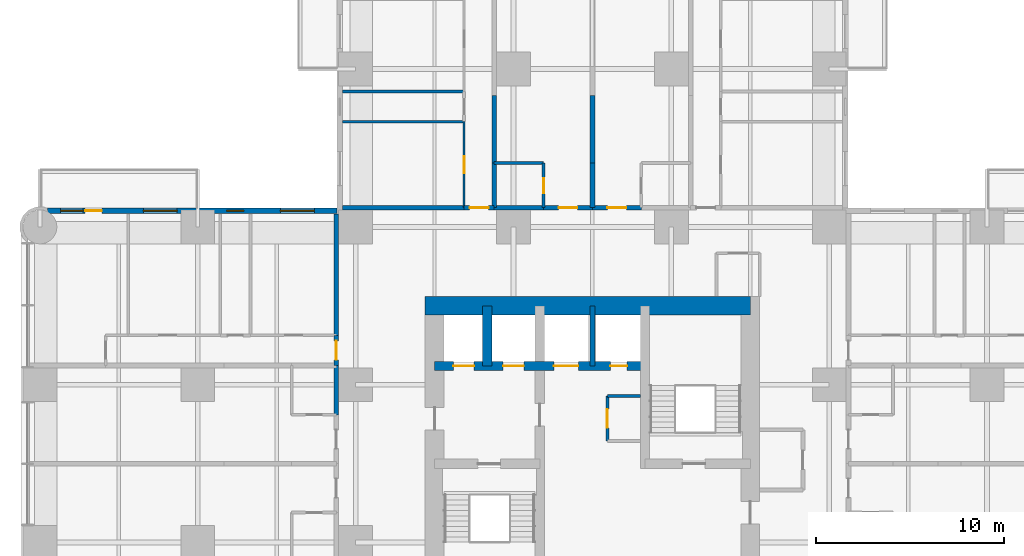
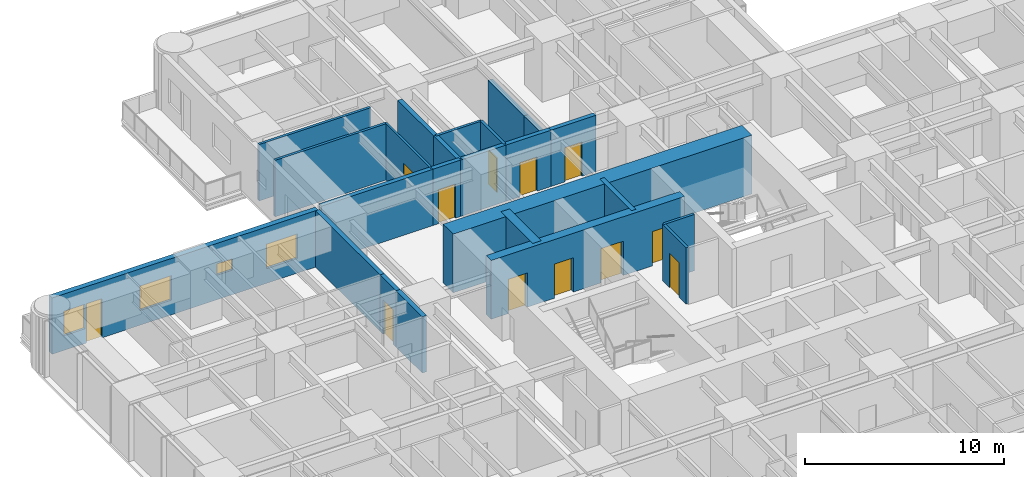
# One storey, part 12 of 17: 24 walls, 12 doors, 4 windows, 16 openings.
"""IFC4 building model written with IfcOpenShell, lengths in metres."""

from ifc_helpers import new_model, si_unit, direction, frame, frame_2d, origin, place, context, subcontext, project, spatial, rectangle, extrude, material, layer, layer_set, type_object, element, fill, save


model = new_model("IFC4")

# Units and contexts
model_context = context("Model", 3, precision=1e-05, world=origin(), true_north=direction((0.0, 1.0)))
body_context = subcontext(model_context, "Body", "Model", "MODEL_VIEW")
ifc_project = project(units=[si_unit("LENGTHUNIT", "METRE"), si_unit("AREAUNIT", "SQUARE_METRE"), si_unit("VOLUMEUNIT", "CUBIC_METRE"), si_unit("PLANEANGLEUNIT", "RADIAN"), si_unit("MASSUNIT", "GRAM", prefix="KILO")], contexts=[model_context])

# Site, building, storey
site_placement = place(None, origin())
site = spatial("IfcSite", under=ifc_project, at=site_placement, CompositionType="ELEMENT")
building_placement = place(site_placement, origin())
building = spatial("IfcBuilding", under=site, at=building_placement, Name="Torre Alcanfor", CompositionType="ELEMENT")
storey_placement = place(building_placement, frame((0.0, 0.0, 88.5)))
storey = spatial("IfcBuildingStorey", under=building, at=storey_placement, Name="L22", CompositionType="ELEMENT", Elevation=88.5)

# Wall, opening, door
ifc_material_1 = material(Name="Concrete block masonry, hollow blocks NMX-C-404 9 MPa", Category="masonry")
ifc_layer_1 = layer(ifc_material_1, 0.25)
ifc_layer_set_1 = layer_set([ifc_layer_1], Name="Apartment entrance wall 250 EI 60")
wall_type_1 = type_object("IfcWallType", Name="Apartment entrance wall 250 EI 60", PredefinedType="PARTITIONING", material=ifc_layer_set_1)
wall_1_placement = place(storey_placement, frame((26.800048828125, 43.02490234375, 0.0), z_axis=(0.0, 0.0, 1.0), x_axis=(1.0, 0.0, 0.0)))
wall_1 = element("IfcWall", 1, at=wall_1_placement, inside=storey, type_object=wall_type_1, Name="Partition L22-CORR / L22-N1A-FOYER", PredefinedType="PARTITIONING", context=body_context, shape_type="SweptSolid", body=[
    extrude(rectangle(XDim=2.599853515625, YDim=0.25, at=frame_2d((1.2998046875, 0.0))), origin(), (0.0, 0.0, 1.0), 3.449951171875),
])
opening_1_placement = place(wall_1_placement, frame((0.800048828125, 0.0, 0.0)))
opening_1 = element("IfcOpeningElement", 2, at=opening_1_placement, cuts=wall_1, Name="Opening D-A1", PredefinedType="OPENING", context=body_context, shape_type="SweptSolid", body=[
    extrude(rectangle(XDim=1.0, YDim=2.10009765625, at=frame_2d((0.5, 1.050048828125))), frame((0.0, 0.135009765625, 0.0), z_axis=(0.0, -1.0, 0.0), x_axis=(1.0, 0.0, 0.0)), (0.0, 0.0, 1.0), 0.27001953125),
])
ifc_material_2 = material(Name="Galvanised steel sheet ASTM A653", Category="steel")
door_type_1 = type_object("IfcDoorType", Name="Apartment entrance door FD60 1000x2100", OperationType="SINGLE_SWING_LEFT", PredefinedType="DOOR", material=ifc_material_2)
door_1_placement = place(opening_1_placement, origin())
door_1 = element("IfcDoor", 3, at=door_1_placement, inside=storey, type_object=door_type_1, Name="Apartment entrance L22-N1A", OperationType="SINGLE_SWING_LEFT", OverallHeight=2.10009765625, OverallWidth=1.0, PredefinedType="DOOR", context=body_context, shape_type="SweptSolid", body=[
    extrude(rectangle(XDim=1.0, YDim=2.10009765625, at=frame_2d((0.5, 1.050048828125))), frame((0.0, 0.02490234375, 0.0), z_axis=(0.0, -1.0, 0.0), x_axis=(1.0, 0.0, 0.0)), (0.0, 0.0, 1.0), 0.050048828125),
])
fill(opening_1, door_1)

# Wall
wall_2_placement = place(storey_placement, frame((24.1708984375, 43.02490234375, 0.0), z_axis=(0.0, 0.0, 1.0), x_axis=(1.0, 0.0, 0.0)))
element("IfcWall", 4, at=wall_2_placement, inside=storey, type_object=wall_type_1, Name="Partition L22-CORR / L22-N1A-BATH", PredefinedType="PARTITIONING", context=body_context, shape_type="SweptSolid", body=[
    extrude(rectangle(XDim=2.629150390625, YDim=0.25, at=frame_2d((1.314453125, 0.0))), origin(), (0.0, 0.0, 1.0), 3.449951171875),
])

# Wall, opening, door
wall_3_placement = place(storey_placement, frame((22.571044921875, 43.02490234375, 0.0), z_axis=(0.0, 0.0, 1.0), x_axis=(1.0, 0.0, 0.0)))
wall_3 = element("IfcWall", 5, at=wall_3_placement, inside=storey, type_object=wall_type_1, Name="Partition L22-CORR / L22-N1B-HALL", PredefinedType="PARTITIONING", context=body_context, shape_type="SweptSolid", body=[
    extrude(rectangle(XDim=1.599853515625, YDim=0.25, at=frame_2d((0.7998046875, 0.0))), origin(), (0.0, 0.0, 1.0), 3.449951171875),
])
opening_2_placement = place(wall_3_placement, frame((0.300048828125, 0.0, 0.0)))
opening_2 = element("IfcOpeningElement", 6, at=opening_2_placement, cuts=wall_3, Name="Opening D-A1", PredefinedType="OPENING", context=body_context, shape_type="SweptSolid", body=[
    extrude(rectangle(XDim=1.0, YDim=2.10009765625, at=frame_2d((0.5, 1.050048828125))), frame((0.0, 0.135009765625, 0.0), z_axis=(0.0, -1.0, 0.0), x_axis=(1.0, 0.0, 0.0)), (0.0, 0.0, 1.0), 0.27001953125),
])
door_2_placement = place(opening_2_placement, origin())
door_2 = element("IfcDoor", 7, at=door_2_placement, inside=storey, type_object=door_type_1, Name="Apartment entrance L22-N1B", OperationType="SINGLE_SWING_LEFT", OverallHeight=2.10009765625, OverallWidth=1.0, PredefinedType="DOOR", context=body_context, shape_type="SweptSolid", body=[
    extrude(rectangle(XDim=1.0, YDim=2.10009765625, at=frame_2d((0.5, 1.050048828125))), frame((0.0, 0.02490234375, 0.0), z_axis=(0.0, -1.0, 0.0), x_axis=(1.0, 0.0, 0.0)), (0.0, 0.0, 1.0), 0.050048828125),
])
fill(opening_2, door_2)

# Wall
wall_4_placement = place(storey_placement, frame((16.10009765625, 43.02490234375, 0.0), z_axis=(0.0, 0.0, 1.0), x_axis=(1.0, 0.0, 0.0)))
element("IfcWall", 8, at=wall_4_placement, inside=storey, type_object=wall_type_1, Name="Partition L22-CORR / L22-N1B-BED2", PredefinedType="PARTITIONING", context=body_context, shape_type="SweptSolid", body=[
    extrude(rectangle(XDim=6.470947265625, YDim=0.25, at=frame_2d((3.2353515625, 0.0))), origin(), (0.0, 0.0, 1.0), 3.449951171875),
])

# Wall, opening, door
wall_5_placement = place(storey_placement, frame((29.39990234375, 43.02490234375, 0.0), z_axis=(0.0, 0.0, 1.0), x_axis=(1.0, 0.0, 0.0)))
wall_5 = element("IfcWall", 9, at=wall_5_placement, inside=storey, type_object=wall_type_1, Name="Partition L22-CORR / L22-N2A-FOYER", PredefinedType="PARTITIONING", context=body_context, shape_type="SweptSolid", body=[
    extrude(rectangle(XDim=2.60009765625, YDim=0.25, at=frame_2d((1.300048828125, 0.0))), origin(), (0.0, 0.0, 1.0), 3.449951171875),
])
opening_3_placement = place(wall_5_placement, frame((0.800048828125, 0.0, 0.0)))
opening_3 = element("IfcOpeningElement", 10, at=opening_3_placement, cuts=wall_5, Name="Opening D-A1", PredefinedType="OPENING", context=body_context, shape_type="SweptSolid", body=[
    extrude(rectangle(XDim=1.0, YDim=2.10009765625, at=frame_2d((0.5, 1.050048828125))), frame((0.0, 0.135009765625, 0.0), z_axis=(0.0, -1.0, 0.0), x_axis=(1.0, 0.0, 0.0)), (0.0, 0.0, 1.0), 0.27001953125),
])
door_3_placement = place(opening_3_placement, origin())
door_3 = element("IfcDoor", 11, at=door_3_placement, inside=storey, type_object=door_type_1, Name="Apartment entrance L22-N2A", OperationType="SINGLE_SWING_LEFT", OverallHeight=2.10009765625, OverallWidth=1.0, PredefinedType="DOOR", context=body_context, shape_type="SweptSolid", body=[
    extrude(rectangle(XDim=1.0, YDim=2.10009765625, at=frame_2d((0.5, 1.050048828125))), frame((0.0, 0.02490234375, 0.0), z_axis=(0.0, -1.0, 0.0), x_axis=(1.0, 0.0, 0.0)), (0.0, 0.0, 1.0), 0.050048828125),
])
fill(opening_3, door_3)

# Wall
wall_6_placement = place(storey_placement, frame((15.77490234375, 32.0, 0.0), z_axis=(0.0, 0.0, 1.0), x_axis=(0.0, 1.0, 0.0)))
element("IfcWall", 12, at=wall_6_placement, inside=storey, type_object=wall_type_1, Name="Partition L22-CORR / L22-W2A-BATH", PredefinedType="PARTITIONING", context=body_context, shape_type="SweptSolid", body=[
    extrude(rectangle(XDim=2.62890625, YDim=0.25, at=frame_2d((1.314453125, 0.0))), origin(), (0.0, 0.0, 1.0), 3.449951171875),
])

# Wall, opening, door
wall_7_placement = place(storey_placement, frame((15.77490234375, 34.62890625, 0.0), z_axis=(0.0, 0.0, 1.0), x_axis=(0.0, 1.0, 0.0)))
wall_7 = element("IfcWall", 13, at=wall_7_placement, inside=storey, type_object=wall_type_1, Name="Partition L22-CORR / L22-W2B-HALL", PredefinedType="PARTITIONING", context=body_context, shape_type="SweptSolid", body=[
    extrude(rectangle(XDim=1.60009765625, YDim=0.25, at=frame_2d((0.800048828125, 0.0))), origin(), (0.0, 0.0, 1.0), 3.449951171875),
])
opening_4_placement = place(wall_7_placement, frame((0.300048828125, 0.0, 0.0)))
opening_4 = element("IfcOpeningElement", 14, at=opening_4_placement, cuts=wall_7, Name="Opening D-A1", PredefinedType="OPENING", context=body_context, shape_type="SweptSolid", body=[
    extrude(rectangle(XDim=1.0, YDim=2.10009765625, at=frame_2d((0.5, 1.050048828125))), frame((0.0, 0.135009765625, 0.0), z_axis=(0.0, -1.0, 0.0), x_axis=(1.0, 0.0, 0.0)), (0.0, 0.0, 1.0), 0.27001953125),
])
door_4_placement = place(opening_4_placement, origin())
door_4 = element("IfcDoor", 15, at=door_4_placement, inside=storey, type_object=door_type_1, Name="Apartment entrance L22-W2B", OperationType="SINGLE_SWING_LEFT", OverallHeight=2.10009765625, OverallWidth=1.0, PredefinedType="DOOR", context=body_context, shape_type="SweptSolid", body=[
    extrude(rectangle(XDim=1.0, YDim=2.10009765625, at=frame_2d((0.5, 1.050048828125))), frame((0.0, 0.02490234375, 0.0), z_axis=(0.0, -1.0, 0.0), x_axis=(1.0, 0.0, 0.0)), (0.0, 0.0, 1.0), 0.050048828125),
])
fill(opening_4, door_4)

# Wall
wall_8_placement = place(storey_placement, frame((15.77490234375, 36.22900390625, 0.0), z_axis=(0.0, 0.0, 1.0), x_axis=(0.0, 1.0, 0.0)))
element("IfcWall", 16, at=wall_8_placement, inside=storey, type_object=wall_type_1, Name="Partition L22-CORR / L22-W2B-BED2", PredefinedType="PARTITIONING", context=body_context, shape_type="SweptSolid", body=[
    extrude(rectangle(XDim=6.470947265625, YDim=0.25, at=frame_2d((3.2353515625, 0.0))), origin(), (0.0, 0.0, 1.0), 3.449951171875),
])

# Wall, opening, door
ifc_material_3 = material(Name="Gypsum board on steel studs", Category="steel")
ifc_layer_2 = layer(ifc_material_3, 0.1201171875)
ifc_layer_set_2 = layer_set([ifc_layer_2], Name="Apartment partition 120")
wall_type_2 = type_object("IfcWallType", Name="Apartment partition 120", PredefinedType="PARTITIONING", material=ifc_layer_set_2)
wall_9_placement = place(storey_placement, frame((22.571044921875, 47.60009765625, 0.0), z_axis=(0.0, 0.0, 1.0), x_axis=(0.0, -1.0, 0.0)))
wall_9 = element("IfcWall", 17, at=wall_9_placement, inside=storey, type_object=wall_type_2, Name="Partition L22-N1B-HALL / L22-N1B-BED2", PredefinedType="PARTITIONING", context=body_context, shape_type="SweptSolid", body=[
    extrude(rectangle(XDim=4.5751953125, YDim=0.1201171875, at=frame_2d((2.28759765625, 0.0))), origin(), (0.0, 0.0, 1.0), 3.449951171875),
])
opening_5_placement = place(wall_9_placement, frame((1.85009765625, 0.0, 0.0)))
opening_5 = element("IfcOpeningElement", 18, at=opening_5_placement, cuts=wall_9, Name="Opening D-R1", PredefinedType="OPENING", context=body_context, shape_type="SweptSolid", body=[
    extrude(rectangle(XDim=0.89990234375, YDim=2.10009765625, at=frame_2d((0.449951171875, 1.050048828125))), frame((0.0, 0.070068359375, 0.0), z_axis=(0.0, -1.0, 0.0), x_axis=(1.0, 0.0, 0.0)), (0.0, 0.0, 1.0), 0.14013671875),
])
ifc_material_4 = material(Name="Timber", Category="wood")
door_type_2 = type_object("IfcDoorType", Name="Internal door 900x2100", OperationType="SINGLE_SWING_LEFT", PredefinedType="DOOR", material=ifc_material_4)
door_5_placement = place(opening_5_placement, frame((0.89990234375, 0.0, 0.0), z_axis=(0.0, 0.0, 1.0), x_axis=(-1.0, 0.0, 0.0)))
door_5 = element("IfcDoor", 19, at=door_5_placement, inside=storey, type_object=door_type_2, Name="Door L22-N1B bed2", OperationType="SINGLE_SWING_LEFT", OverallHeight=2.10009765625, OverallWidth=0.89990234375, PredefinedType="DOOR", context=body_context, shape_type="SweptSolid", body=[
    extrude(rectangle(XDim=0.89990234375, YDim=2.10009765625, at=frame_2d((0.449951171875, 1.050048828125))), frame((0.0, 0.025146484375, 0.0), z_axis=(0.0, -1.0, 0.0), x_axis=(1.0, 0.0, 0.0)), (0.0, 0.0, 1.0), 0.050048828125),
])
fill(opening_5, door_5)

# Wall, openings, doors
ifc_material_5 = material(Name="Concrete f'c 70 MPa", Category="concrete")
ifc_layer_3 = layer(ifc_material_5, 0.5)
ifc_layer_set_3 = layer_set([ifc_layer_3], Name="Core inner wall 500 f'c70")
wall_type_3 = type_object("IfcWallType", Name="Core inner wall 500 f'c70", PredefinedType="SHEAR", material=ifc_layer_set_3)
wall_10_placement = place(storey_placement, frame((21.0, 34.60009765625, 0.0), z_axis=(0.0, 0.0, 1.0), x_axis=(1.0, 0.0, 0.0)))
wall_10 = element("IfcWall", 20, at=wall_10_placement, inside=storey, type_object=wall_type_3, Name="Core wall Y346 L22", PredefinedType="SHEAR", context=body_context, shape_type="SweptSolid", body=[
    extrude(rectangle(XDim=11.199951171875, YDim=0.5, at=frame_2d((5.60009765625, 0.0))), origin(), (0.0, 0.0, 1.0), 3.60009765625),
])
opening_6_placement = place(wall_10_placement, frame((9.35009765625, 0.0, 0.0)))
opening_6 = element("IfcOpeningElement", 21, at=opening_6_placement, cuts=wall_10, Name="Opening D-Q1", PredefinedType="OPENING", context=body_context, shape_type="SweptSolid", body=[
    extrude(rectangle(XDim=0.89990234375, YDim=2.10009765625, at=frame_2d((0.449951171875, 1.050048828125))), frame((0.0, 0.260009765625, 0.0), z_axis=(0.0, -1.0, 0.0), x_axis=(1.0, 0.0, 0.0)), (0.0, 0.0, 1.0), 0.52001953125),
])
opening_7_placement = place(wall_10_placement, frame((1.0, 0.0, 0.0)))
opening_7 = element("IfcOpeningElement", 22, at=opening_7_placement, cuts=wall_10, Name="Opening LD2", PredefinedType="OPENING", context=body_context, shape_type="SweptSolid", body=[
    extrude(rectangle(XDim=1.10009765625, YDim=2.10009765625, at=frame_2d((0.550048828125, 1.050048828125))), frame((0.0, 0.260009765625, 0.0), z_axis=(0.0, -1.0, 0.0), x_axis=(1.0, 0.0, 0.0)), (0.0, 0.0, 1.0), 0.52001953125),
])
opening_8_placement = place(wall_10_placement, frame((3.64990234375, 0.0, 0.0)))
opening_8 = element("IfcOpeningElement", 23, at=opening_8_placement, cuts=wall_10, Name="Opening LD2", PredefinedType="OPENING", context=body_context, shape_type="SweptSolid", body=[
    extrude(rectangle(XDim=1.10009765625, YDim=2.10009765625, at=frame_2d((0.550048828125, 1.050048828125))), frame((0.0, 0.260009765625, 0.0), z_axis=(0.0, -1.0, 0.0), x_axis=(1.0, 0.0, 0.0)), (0.0, 0.0, 1.0), 0.52001953125),
])
opening_9_placement = place(wall_10_placement, frame((6.35009765625, 0.0, 0.0)))
opening_9 = element("IfcOpeningElement", 24, at=opening_9_placement, cuts=wall_10, Name="Opening LD3", PredefinedType="OPENING", context=body_context, shape_type="SweptSolid", body=[
    extrude(rectangle(XDim=1.300048828125, YDim=2.10009765625, at=frame_2d((0.64990234375, 1.050048828125))), frame((0.0, 0.260009765625, 0.0), z_axis=(0.0, -1.0, 0.0), x_axis=(1.0, 0.0, 0.0)), (0.0, 0.0, 1.0), 0.52001953125),
])
ifc_material_6 = material(Name="Galvanised steel sheet ASTM A653", Category="steel")
door_type_3 = type_object("IfcDoorType", Name="Firefighting lift landing door 1100x2100", OperationType="DOUBLE_DOOR_SLIDING", PredefinedType="DOOR", material=ifc_material_6)
door_6_placement = place(opening_7_placement, origin())
door_6 = element("IfcDoor", 25, at=door_6_placement, inside=storey, type_object=door_type_3, Name="Lift landing door FL1 L22", OperationType="DOUBLE_DOOR_SLIDING", OverallHeight=2.10009765625, OverallWidth=1.10009765625, PredefinedType="DOOR", context=body_context, shape_type="SweptSolid", body=[
    extrude(rectangle(XDim=1.10009765625, YDim=2.10009765625, at=frame_2d((0.550048828125, 1.050048828125))), frame((0.0, 0.02490234375, 0.0), z_axis=(0.0, -1.0, 0.0), x_axis=(1.0, 0.0, 0.0)), (0.0, 0.0, 1.0), 0.050048828125),
])
fill(opening_7, door_6)
door_7_placement = place(opening_8_placement, origin())
door_7 = element("IfcDoor", 26, at=door_7_placement, inside=storey, type_object=door_type_3, Name="Lift landing door FL2 L22", OperationType="DOUBLE_DOOR_SLIDING", OverallHeight=2.10009765625, OverallWidth=1.10009765625, PredefinedType="DOOR", context=body_context, shape_type="SweptSolid", body=[
    extrude(rectangle(XDim=1.10009765625, YDim=2.10009765625, at=frame_2d((0.550048828125, 1.050048828125))), frame((0.0, 0.02490234375, 0.0), z_axis=(0.0, -1.0, 0.0), x_axis=(1.0, 0.0, 0.0)), (0.0, 0.0, 1.0), 0.050048828125),
])
fill(opening_8, door_7)
ifc_material_7 = material(Name="Galvanised steel sheet ASTM A653", Category="steel")
door_type_4 = type_object("IfcDoorType", Name="Riser access door FD120 900x2100", OperationType="SINGLE_SWING_LEFT", PredefinedType="DOOR", material=ifc_material_7)
door_8_placement = place(opening_6_placement, origin())
door_8 = element("IfcDoor", 27, at=door_8_placement, inside=storey, type_object=door_type_4, Name="Riser door L22", OperationType="SINGLE_SWING_LEFT", OverallHeight=2.10009765625, OverallWidth=0.89990234375, PredefinedType="DOOR", context=body_context, shape_type="SweptSolid", body=[
    extrude(rectangle(XDim=0.89990234375, YDim=2.10009765625, at=frame_2d((0.449951171875, 1.050048828125))), frame((0.0, 0.02490234375, 0.0), z_axis=(0.0, -1.0, 0.0), x_axis=(1.0, 0.0, 0.0)), (0.0, 0.0, 1.0), 0.050048828125),
])
fill(opening_6, door_8)
ifc_material_8 = material(Name="Galvanised steel sheet ASTM A653", Category="steel")
door_type_5 = type_object("IfcDoorType", Name="Service lift landing door 1300x2100", OperationType="DOUBLE_DOOR_SLIDING", PredefinedType="DOOR", material=ifc_material_8)
door_9_placement = place(opening_9_placement, origin())
door_9 = element("IfcDoor", 28, at=door_9_placement, inside=storey, type_object=door_type_5, Name="Lift landing door SL1 L22", OperationType="DOUBLE_DOOR_SLIDING", OverallHeight=2.10009765625, OverallWidth=1.300048828125, PredefinedType="DOOR", context=body_context, shape_type="SweptSolid", body=[
    extrude(rectangle(XDim=1.300048828125, YDim=2.10009765625, at=frame_2d((0.64990234375, 1.050048828125))), frame((0.0, 0.02490234375, 0.0), z_axis=(0.0, -1.0, 0.0), x_axis=(1.0, 0.0, 0.0)), (0.0, 0.0, 1.0), 0.050048828125),
])
fill(opening_9, door_9)

# Walls
wall_11_placement = place(storey_placement, frame((23.800048828125, 34.60009765625, 0.0), z_axis=(0.0, 0.0, 1.0), x_axis=(0.0, 1.0, 0.0)))
element("IfcWall", 29, at=wall_11_placement, inside=storey, type_object=wall_type_3, Name="Core wall X238 L22", PredefinedType="SHEAR", context=body_context, shape_type="SweptSolid", body=[
    extrude(rectangle(XDim=3.199951171875, YDim=0.5, at=frame_2d((1.60009765625, 0.0))), origin(), (0.0, 0.0, 1.0), 3.60009765625),
])
ifc_material_9 = material(Name="Concrete f'c 70 MPa", Category="concrete")
ifc_layer_4 = layer(ifc_material_9, 0.25)
ifc_layer_set_4 = layer_set([ifc_layer_4], Name="Core shaft wall 250 f'c70")
wall_type_4 = type_object("IfcWallType", Name="Core shaft wall 250 f'c70", PredefinedType="SHEAR", material=ifc_layer_set_4)
wall_12_placement = place(storey_placement, frame((29.39990234375, 34.60009765625, 0.0), z_axis=(0.0, 0.0, 1.0), x_axis=(0.0, 1.0, 0.0)))
element("IfcWall", 30, at=wall_12_placement, inside=storey, type_object=wall_type_4, Name="Core wall X294N L22", PredefinedType="SHEAR", context=body_context, shape_type="SweptSolid", body=[
    extrude(rectangle(XDim=3.199951171875, YDim=0.25, at=frame_2d((1.60009765625, 0.0))), origin(), (0.0, 0.0, 1.0), 3.60009765625),
])
ifc_material_10 = material(Name="Concrete f'c 70 MPa", Category="concrete")
ifc_layer_5 = layer(ifc_material_10, 1.0)
ifc_layer_set_5 = layer_set([ifc_layer_5], Name="Core wall 1000 f'c70")
wall_type_5 = type_object("IfcWallType", Name="Core wall 1000 f'c70", PredefinedType="SHEAR", material=ifc_layer_set_5)
wall_13_placement = place(storey_placement, frame((37.800048828125, 37.800048828125, 0.0), z_axis=(0.0, 0.0, 1.0), x_axis=(-1.0, 0.0, 0.0)))
element("IfcWall", 31, at=wall_13_placement, inside=storey, type_object=wall_type_5, Name="Core wall OUT-N L22", PredefinedType="SHEAR", context=body_context, shape_type="SweptSolid", body=[
    extrude(rectangle(XDim=17.300048828125, YDim=1.0, at=frame_2d((8.64990234375, 0.0))), origin(), (0.0, 0.0, 1.0), 3.60009765625),
])

# Wall, openings, door, windows
ifc_material_11 = material(Name="Limestone cladding", Category="masonry")
ifc_layer_6 = layer(ifc_material_11, 0.0400390625, Name="Facing")
ifc_material_12 = material(Name="Ventilated air cavity")
ifc_layer_7 = layer(ifc_material_12, 0.02001953125, ventilated=True, Name="Ventilated joint")
ifc_material_13 = material(Name="Mineral wool insulation", Category="insulation")
ifc_layer_8 = layer(ifc_material_13, 0.10009765625, Name="Insulation")
ifc_material_14 = material(Name="Concrete f'c 35 MPa", Category="concrete")
ifc_layer_9 = layer(ifc_material_14, 0.139892578125, Name="Backing")
ifc_layer_set_6 = layer_set([ifc_layer_6, ifc_layer_7, ifc_layer_8, ifc_layer_9], Name="External wall stone-clad 300")
wall_type_6 = type_object("IfcWallType", Name="External wall stone-clad 300", PredefinedType="SOLIDWALL", material=ifc_layer_set_6)
wall_14_placement = place(storey_placement, frame((15.800048828125, 42.85009765625, 0.0), z_axis=(0.0, 0.0, 1.0), x_axis=(-1.0, 0.0, 0.0)))
wall_14 = element("IfcWall", 32, at=wall_14_placement, inside=storey, type_object=wall_type_6, Name="External wall L22 1", PredefinedType="SOLIDWALL", context=body_context, shape_type="SweptSolid", body=[
    extrude(rectangle(XDim=15.400146484375, YDim=0.300048828125, at=frame_2d((7.7001953125, 0.0))), origin(), (0.0, 0.0, 1.0), 3.449951171875),
])
opening_10_placement = place(wall_14_placement, frame((1.199951171875, 0.0, 0.89990234375)))
opening_10 = element("IfcOpeningElement", 33, at=opening_10_placement, cuts=wall_14, Name="Opening W2", PredefinedType="OPENING", context=body_context, shape_type="SweptSolid", body=[
    extrude(rectangle(XDim=1.800048828125, YDim=1.5, at=frame_2d((0.89990234375, 0.75))), frame((0.0, 0.159912109375, 0.0), z_axis=(0.0, -1.0, 0.0), x_axis=(1.0, 0.0, 0.0)), (0.0, 0.0, 1.0), 0.320068359375),
])
opening_11_placement = place(wall_14_placement, frame((4.949951171875, 0.0, 1.5)))
opening_11 = element("IfcOpeningElement", 34, at=opening_11_placement, cuts=wall_14, Name="Opening W3", PredefinedType="OPENING", context=body_context, shape_type="SweptSolid", body=[
    extrude(rectangle(XDim=0.89990234375, YDim=0.699951171875, at=frame_2d((0.449951171875, 0.35009765625))), frame((0.0, 0.159912109375, 0.0), z_axis=(0.0, -1.0, 0.0), x_axis=(1.0, 0.0, 0.0)), (0.0, 0.0, 1.0), 0.320068359375),
])
opening_12_placement = place(wall_14_placement, frame((8.5, 0.0, 0.89990234375)))
opening_12 = element("IfcOpeningElement", 35, at=opening_12_placement, cuts=wall_14, Name="Opening W2", PredefinedType="OPENING", context=body_context, shape_type="SweptSolid", body=[
    extrude(rectangle(XDim=1.800048828125, YDim=1.5, at=frame_2d((0.89990234375, 0.75))), frame((0.0, 0.159912109375, 0.0), z_axis=(0.0, -1.0, 0.0), x_axis=(1.0, 0.0, 0.0)), (0.0, 0.0, 1.0), 0.320068359375),
])
opening_13_placement = place(wall_14_placement, frame((12.5, 0.0, 0.0)))
opening_13 = element("IfcOpeningElement", 36, at=opening_13_placement, cuts=wall_14, Name="Opening D-B1", PredefinedType="OPENING", context=body_context, shape_type="SweptSolid", body=[
    extrude(rectangle(XDim=0.89990234375, YDim=2.39990234375, at=frame_2d((0.449951171875, 1.199951171875))), frame((0.0, 0.159912109375, 0.0), z_axis=(0.0, -1.0, 0.0), x_axis=(1.0, 0.0, 0.0)), (0.0, 0.0, 1.0), 0.320068359375),
])
opening_14_placement = place(wall_14_placement, frame((13.5, 0.0, 0.89990234375)))
opening_14 = element("IfcOpeningElement", 37, at=opening_14_placement, cuts=wall_14, Name="Opening W4", PredefinedType="OPENING", context=body_context, shape_type="SweptSolid", body=[
    extrude(rectangle(XDim=1.199951171875, YDim=1.5, at=frame_2d((0.60009765625, 0.75))), frame((0.0, 0.159912109375, 0.0), z_axis=(0.0, -1.0, 0.0), x_axis=(1.0, 0.0, 0.0)), (0.0, 0.0, 1.0), 0.320068359375),
])
ifc_material_15 = material(Name="Aluminium and glass", Category="aluminium")
door_type_6 = type_object("IfcDoorType", Name="Balcony door glazed 900x2400", OperationType="SINGLE_SWING_LEFT", PredefinedType="DOOR", material=ifc_material_15)
door_10_placement = place(opening_13_placement, origin())
door_10 = element("IfcDoor", 38, at=door_10_placement, inside=storey, type_object=door_type_6, Name="Balcony door L22-W2", OperationType="SINGLE_SWING_LEFT", OverallHeight=2.39990234375, OverallWidth=0.89990234375, PredefinedType="DOOR", context=body_context, shape_type="SweptSolid", body=[
    extrude(rectangle(XDim=0.89990234375, YDim=2.39990234375, at=frame_2d((0.449951171875, 1.199951171875))), frame((0.0, 0.02490234375, 0.0), z_axis=(0.0, -1.0, 0.0), x_axis=(1.0, 0.0, 0.0)), (0.0, 0.0, 1.0), 0.050048828125),
])
fill(opening_13, door_10)
ifc_material_16 = material(Name="Aluminium frame with clear double glazing", Category="aluminium")
window_type_1 = type_object("IfcWindowType", Name="Window bathroom 900x700", PartitioningType="SINGLE_PANEL", PredefinedType="WINDOW", material=ifc_material_16)
window_1_placement = place(opening_11_placement, origin())
window_1 = element("IfcWindow", 39, at=window_1_placement, inside=storey, type_object=window_type_1, Name="Window W3 L22-W2", OverallHeight=0.699951171875, OverallWidth=0.89990234375, PartitioningType="SINGLE_PANEL", PredefinedType="WINDOW", context=body_context, shape_type="SweptSolid", body=[
    extrude(rectangle(XDim=0.89990234375, YDim=0.699951171875, at=frame_2d((0.449951171875, 0.35009765625))), frame((0.0, 0.030029296875, 0.0), z_axis=(0.0, -1.0, 0.0), x_axis=(1.0, 0.0, 0.0)), (0.0, 0.0, 1.0), 0.06005859375),
])
fill(opening_11, window_1)
ifc_material_17 = material(Name="Aluminium frame with clear double glazing", Category="aluminium")
window_type_2 = type_object("IfcWindowType", Name="Window bedroom 1200x1500", PartitioningType="SINGLE_PANEL", PredefinedType="WINDOW", material=ifc_material_17)
window_2_placement = place(opening_14_placement, origin())
window_2 = element("IfcWindow", 40, at=window_2_placement, inside=storey, type_object=window_type_2, Name="Window W4 L22-W2", OverallHeight=1.5, OverallWidth=1.199951171875, PartitioningType="SINGLE_PANEL", PredefinedType="WINDOW", context=body_context, shape_type="SweptSolid", body=[
    extrude(rectangle(XDim=1.199951171875, YDim=1.5, at=frame_2d((0.60009765625, 0.75))), frame((0.0, 0.030029296875, 0.0), z_axis=(0.0, -1.0, 0.0), x_axis=(1.0, 0.0, 0.0)), (0.0, 0.0, 1.0), 0.06005859375),
])
fill(opening_14, window_2)
ifc_material_18 = material(Name="Aluminium frame with clear double glazing", Category="aluminium")
window_type_3 = type_object("IfcWindowType", Name="Window bedroom 1800x1500", PartitioningType="SINGLE_PANEL", PredefinedType="WINDOW", material=ifc_material_18)
window_3_placement = place(opening_10_placement, origin())
window_3 = element("IfcWindow", 41, at=window_3_placement, inside=storey, type_object=window_type_3, Name="Window W2 L22-W2", OverallHeight=1.5, OverallWidth=1.800048828125, PartitioningType="SINGLE_PANEL", PredefinedType="WINDOW", context=body_context, shape_type="SweptSolid", body=[
    extrude(rectangle(XDim=1.800048828125, YDim=1.5, at=frame_2d((0.89990234375, 0.75))), frame((0.0, 0.030029296875, 0.0), z_axis=(0.0, -1.0, 0.0), x_axis=(1.0, 0.0, 0.0)), (0.0, 0.0, 1.0), 0.06005859375),
])
fill(opening_10, window_3)
window_4_placement = place(opening_12_placement, origin())
window_4 = element("IfcWindow", 42, at=window_4_placement, inside=storey, type_object=window_type_3, Name="Window W2 L22-W2", OverallHeight=1.5, OverallWidth=1.800048828125, PartitioningType="SINGLE_PANEL", PredefinedType="WINDOW", context=body_context, shape_type="SweptSolid", body=[
    extrude(rectangle(XDim=1.800048828125, YDim=1.5, at=frame_2d((0.89990234375, 0.75))), frame((0.0, 0.030029296875, 0.0), z_axis=(0.0, -1.0, 0.0), x_axis=(1.0, 0.0, 0.0)), (0.0, 0.0, 1.0), 0.06005859375),
])
fill(opening_12, window_4)

# Walls
ifc_material_19 = material(Name="Concrete block masonry, hollow blocks NMX-C-404 9 MPa", Category="masonry")
ifc_layer_10 = layer(ifc_material_19, 0.25)
ifc_layer_set_7 = layer_set([ifc_layer_10], Name="Party wall 250 EI 60")
wall_type_7 = type_object("IfcWallType", Name="Party wall 250 EI 60", PredefinedType="PARTITIONING", material=ifc_layer_set_7)
wall_15_placement = place(storey_placement, frame((29.39990234375, 43.02490234375, 0.0), z_axis=(0.0, 0.0, 1.0), x_axis=(0.0, 1.0, 0.0)))
element("IfcWall", 43, at=wall_15_placement, inside=storey, type_object=wall_type_7, Name="Partition L22-N1A-FOYER / L22-N2A-FOYER", PredefinedType="PARTITIONING", context=body_context, shape_type="SweptSolid", body=[
    extrude(rectangle(XDim=2.375, YDim=0.25, at=frame_2d((1.1875, 0.0))), origin(), (0.0, 0.0, 1.0), 2.847900390625),
])
wall_16_placement = place(storey_placement, frame((24.1708984375, 45.39990234375, 0.0), z_axis=(0.0, 0.0, 1.0), x_axis=(0.0, -1.0, 0.0)))
element("IfcWall", 44, at=wall_16_placement, inside=storey, type_object=wall_type_7, Name="Partition L22-N1A-BATH / L22-N1B-HALL", PredefinedType="PARTITIONING", context=body_context, shape_type="SweptSolid", body=[
    extrude(rectangle(XDim=2.375, YDim=0.25, at=frame_2d((1.1875, 0.0))), origin(), (0.0, 0.0, 1.0), 3.449951171875),
])
wall_17_placement = place(storey_placement, frame((24.1708984375, 49.0, 0.0), z_axis=(0.0, 0.0, 1.0), x_axis=(0.0, -1.0, 0.0)))
element("IfcWall", 45, at=wall_17_placement, inside=storey, type_object=wall_type_7, Name="Partition L22-N1A-KITCHEN / L22-N1B-HALL", PredefinedType="PARTITIONING", context=body_context, shape_type="SweptSolid", body=[
    extrude(rectangle(XDim=3.60009765625, YDim=0.25, at=frame_2d((1.800048828125, 0.0))), origin(), (0.0, 0.0, 1.0), 3.449951171875),
])
wall_18_placement = place(storey_placement, frame((29.39990234375, 45.39990234375, 0.0), z_axis=(0.0, 0.0, 1.0), x_axis=(0.0, 1.0, 0.0)))
element("IfcWall", 46, at=wall_18_placement, inside=storey, type_object=wall_type_7, Name="Partition L22-N1A-KITCHEN / L22-N2A-KITCHEN", PredefinedType="PARTITIONING", context=body_context, shape_type="SweptSolid", body=[
    extrude(rectangle(XDim=3.60009765625, YDim=0.25, at=frame_2d((1.800048828125, 0.0))), origin(), (0.0, 0.0, 1.0), 2.847900390625),
])

# Wall, opening, door
ifc_material_20 = material(Name="Concrete block masonry, hollow blocks NMX-C-404 9 MPa", Category="masonry")
ifc_layer_11 = layer(ifc_material_20, 0.14990234375)
ifc_layer_set_8 = layer_set([ifc_layer_11], Name="Residents' room partition 150")
wall_type_8 = type_object("IfcWallType", Name="Residents' room partition 150", PredefinedType="PARTITIONING", material=ifc_layer_set_8)
wall_19_placement = place(storey_placement, frame((30.199951171875, 30.60009765625, 0.0), z_axis=(0.0, 0.0, 1.0), x_axis=(0.0, 1.0, 0.0)))
wall_19 = element("IfcWall", 47, at=wall_19_placement, inside=storey, type_object=wall_type_8, Name="Partition L22-LL / L22-CR1", PredefinedType="PARTITIONING", context=body_context, shape_type="SweptSolid", body=[
    extrude(rectangle(XDim=2.39990234375, YDim=0.14990234375, at=frame_2d((1.199951171875, 0.0))), origin(), (0.0, 0.0, 1.0), 3.449951171875),
])
opening_15_placement = place(wall_19_placement, frame((0.699951171875, 0.0, 0.0)))
opening_15 = element("IfcOpeningElement", 48, at=opening_15_placement, cuts=wall_19, Name="Opening D-M1", PredefinedType="OPENING", context=body_context, shape_type="SweptSolid", body=[
    extrude(rectangle(XDim=1.0, YDim=2.10009765625, at=frame_2d((0.5, 1.050048828125))), frame((0.0, 0.0849609375, 0.0), z_axis=(0.0, -1.0, 0.0), x_axis=(1.0, 0.0, 0.0)), (0.0, 0.0, 1.0), 0.169921875),
])
ifc_material_21 = material(Name="Timber", Category="wood")
door_type_7 = type_object("IfcDoorType", Name="Residents' room door 1000x2100", OperationType="SINGLE_SWING_LEFT", PredefinedType="DOOR", material=ifc_material_21)
door_11_placement = place(opening_15_placement, frame((1.0, 0.0, 0.0), z_axis=(0.0, 0.0, 1.0), x_axis=(-1.0, 0.0, 0.0)))
door_11 = element("IfcDoor", 49, at=door_11_placement, inside=storey, type_object=door_type_7, Name="Vending and ice room door L22", OperationType="SINGLE_SWING_RIGHT", OverallHeight=2.10009765625, OverallWidth=1.0, PredefinedType="DOOR", context=body_context, shape_type="SweptSolid", body=[
    extrude(rectangle(XDim=1.0, YDim=2.10009765625, at=frame_2d((0.5, 1.050048828125))), frame((0.0, 0.025146484375, 0.0), z_axis=(0.0, -1.0, 0.0), x_axis=(1.0, 0.0, 0.0)), (0.0, 0.0, 1.0), 0.050048828125),
])
fill(opening_15, door_11)

# Wall
wall_20_placement = place(storey_placement, frame((30.199951171875, 33.0, 0.0), z_axis=(0.0, 0.0, 1.0), x_axis=(1.0, 0.0, 0.0)))
element("IfcWall", 50, at=wall_20_placement, inside=storey, type_object=wall_type_8, Name="Partition L22-LL / L22-CR1", PredefinedType="PARTITIONING", context=body_context, shape_type="SweptSolid", body=[
    extrude(rectangle(XDim=1.75, YDim=0.14990234375, at=frame_2d((0.875, 0.0))), origin(), (0.0, 0.0, 1.0), 3.449951171875),
])

# Wall, opening, door
ifc_material_22 = material(Name="Cement board on steel studs", Category="steel")
ifc_layer_12 = layer(ifc_material_22, 0.14990234375)
ifc_layer_set_9 = layer_set([ifc_layer_12], Name="Wet area partition 150")
wall_type_9 = type_object("IfcWallType", Name="Wet area partition 150", PredefinedType="PARTITIONING", material=ifc_layer_set_9)
wall_21_placement = place(storey_placement, frame((26.800048828125, 45.39990234375, 0.0), z_axis=(0.0, 0.0, 1.0), x_axis=(0.0, -1.0, 0.0)))
wall_21 = element("IfcWall", 51, at=wall_21_placement, inside=storey, type_object=wall_type_9, Name="Partition L22-N1A-FOYER / L22-N1A-BATH", PredefinedType="PARTITIONING", context=body_context, shape_type="SweptSolid", body=[
    extrude(rectangle(XDim=2.375, YDim=0.14990234375, at=frame_2d((1.1875, 0.0))), origin(), (0.0, 0.0, 1.0), 3.449951171875),
])
opening_16_placement = place(wall_21_placement, frame((0.800048828125, 0.0, 0.0)))
opening_16 = element("IfcOpeningElement", 52, at=opening_16_placement, cuts=wall_21, Name="Opening D-R2", PredefinedType="OPENING", context=body_context, shape_type="SweptSolid", body=[
    extrude(rectangle(XDim=0.800048828125, YDim=2.10009765625, at=frame_2d((0.39990234375, 1.050048828125))), frame((0.0, 0.0849609375, 0.0), z_axis=(0.0, -1.0, 0.0), x_axis=(1.0, 0.0, 0.0)), (0.0, 0.0, 1.0), 0.169921875),
])
ifc_material_23 = material(Name="Timber", Category="wood")
door_type_8 = type_object("IfcDoorType", Name="Bathroom door 800x2100", OperationType="SINGLE_SWING_LEFT", PredefinedType="DOOR", material=ifc_material_23)
door_12_placement = place(opening_16_placement, frame((0.800048828125, 0.0, 0.0), z_axis=(0.0, 0.0, 1.0), x_axis=(-1.0, 0.0, 0.0)))
door_12 = element("IfcDoor", 53, at=door_12_placement, inside=storey, type_object=door_type_8, Name="Door L22-N1A bath", OperationType="SINGLE_SWING_LEFT", OverallHeight=2.10009765625, OverallWidth=0.800048828125, PredefinedType="DOOR", context=body_context, shape_type="SweptSolid", body=[
    extrude(rectangle(XDim=0.800048828125, YDim=2.10009765625, at=frame_2d((0.400146484375, 1.050048828125))), frame((0.0, 0.025146484375, 0.0), z_axis=(0.0, -1.0, 0.0), x_axis=(1.0, 0.0, 0.0)), (0.0, 0.0, 1.0), 0.050048828125),
])
fill(opening_16, door_12)

# Walls
wall_22_placement = place(storey_placement, frame((26.800048828125, 45.39990234375, 0.0), z_axis=(0.0, 0.0, 1.0), x_axis=(-1.0, 0.0, 0.0)))
element("IfcWall", 54, at=wall_22_placement, inside=storey, type_object=wall_type_9, Name="Partition L22-N1A-BATH / L22-N1A-KITCHEN", PredefinedType="PARTITIONING", context=body_context, shape_type="SweptSolid", body=[
    extrude(rectangle(XDim=2.629150390625, YDim=0.14990234375, at=frame_2d((1.314453125, 0.0))), origin(), (0.0, 0.0, 1.0), 3.449951171875),
])
for number, where, z_axis, x_axis, name in (
    (55, (22.571044921875, 47.60009765625, 0.0), (0.0, 0.0, 1.0), (-1.0, 0.0, 0.0), "Partition L22-N1B-BED2 / L22-N1B-BATH"),
    (56, (22.571044921875, 49.199951171875, 0.0), (0.0, 0.0, 1.0), (-1.0, 0.0, 0.0), "Partition L22-N1B-BATH / L22-N1B-MASTER"),
):
    element("IfcWall", number, at=place(storey_placement, frame(where, z_axis=z_axis, x_axis=x_axis)), inside=storey, type_object=wall_type_9, Name=name, PredefinedType="PARTITIONING", context=body_context, shape_type="SweptSolid", body=[
        extrude(rectangle(XDim=6.470947265625, YDim=0.14990234375, at=frame_2d((3.2353515625, 0.0))), origin(), (0.0, 0.0, 1.0), 3.449951171875),
    ])

save(model, "model.ifc")
